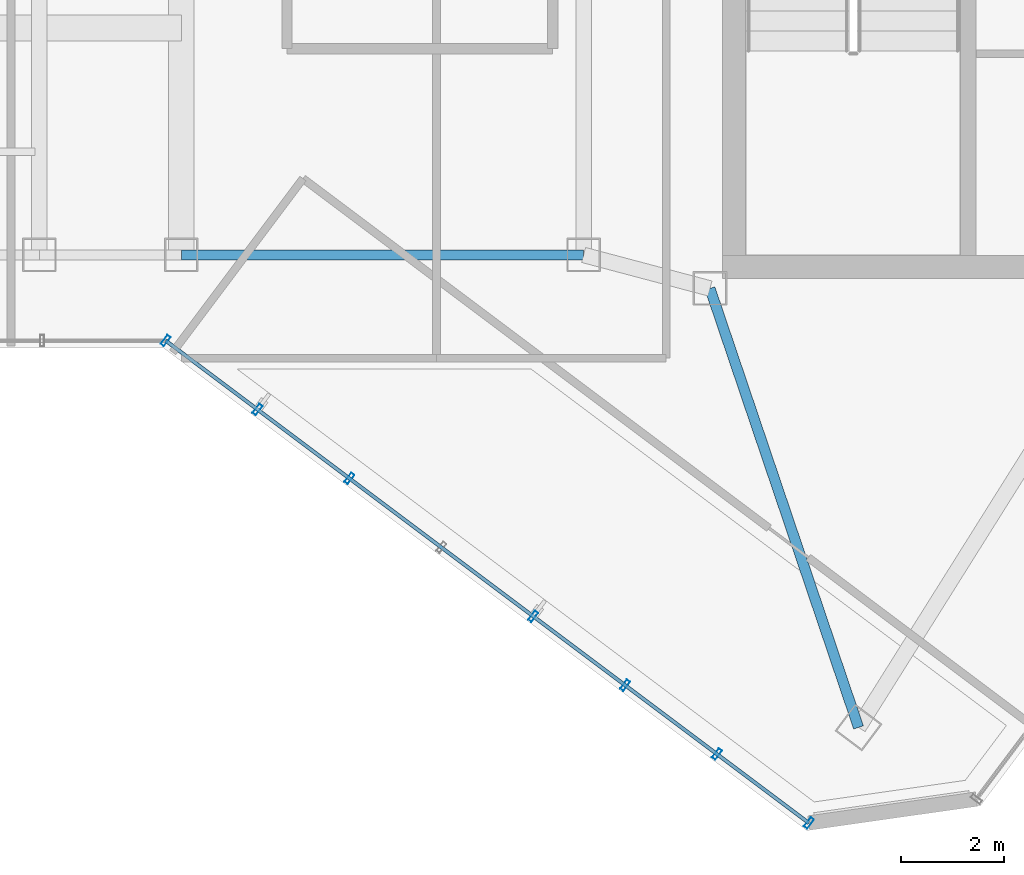
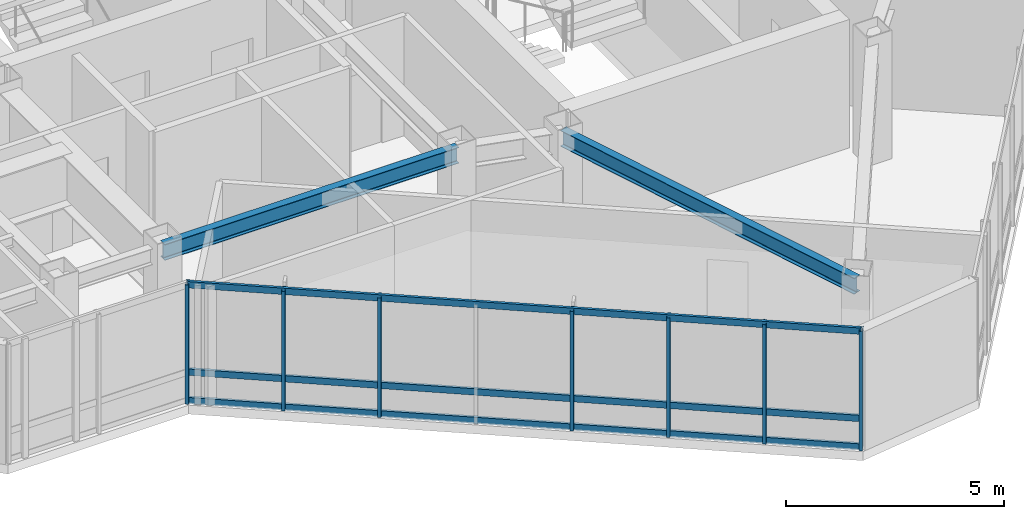
# One storey, part 3 of 17: 10 members, 2 beams, 1 element without a shape of its own.
"""IFC4 building model written with IfcOpenShell, lengths in metres."""

from ifc_helpers import new_model, si_unit, direction, frame, origin, origin_2d, place, context, subcontext, project, spatial, hollow_rectangle, i_section, extrude, material, layer, layer_set, material_profile, profile_set, type_object, element, aggregate, save


model = new_model("IFC4")

# Units and contexts
model_context = context("Model", 3, precision=1e-05, world=origin(), true_north=direction((0.0, 1.0)))
body_context = subcontext(model_context, "Body", "Model", "MODEL_VIEW")
ifc_project = project(units=[si_unit("LENGTHUNIT", "METRE"), si_unit("AREAUNIT", "SQUARE_METRE"), si_unit("VOLUMEUNIT", "CUBIC_METRE"), si_unit("PLANEANGLEUNIT", "RADIAN"), si_unit("MASSUNIT", "GRAM", prefix="KILO")], contexts=[model_context])

# Site, building, storey
site_placement = place(None, origin())
site = spatial("IfcSite", under=ifc_project, at=site_placement, CompositionType="ELEMENT")
building_placement = place(site_placement, origin())
building = spatial("IfcBuilding", under=site, at=building_placement, Name="Hatsunagi Terrace Concourse", CompositionType="ELEMENT")
storey_placement = place(building_placement, frame((0.0, 0.0, 253.949951171875)))
storey = spatial("IfcBuildingStorey", under=building, at=storey_placement, Name="L67", CompositionType="ELEMENT", Elevation=253.949951171875)

# Curtain wall, members
ifc_material_1 = material(Name="Anodised Aluminium Alloy 6063-T5", Category="aluminium")
ifc_layer = layer(ifc_material_1, 0.199951171875)
ifc_layer_set = layer_set([ifc_layer], Name="SkyLobbyAtrium_CW05")
curtain_wall_type = type_object("IfcCurtainWallType", Name="SkyLobbyAtrium_CW05", PredefinedType="NOTDEFINED", material=ifc_layer_set)
curtain_wall_placement = place(storey_placement, origin())
curtain_wall = element("IfcCurtainWall", 1, at=curtain_wall_placement, inside=storey, type_object=curtain_wall_type, Name="Unitised Curtain Wall CW-05 CW-L67-05", PredefinedType="NOTDEFINED")
ifc_material_2 = material(Name="Anodised Aluminium Alloy 6063-T5", Category="aluminium")
ifc_material_profile_1 = material_profile(ifc_material_2, hollow_rectangle(XDim=0.080078125, YDim=0.219970703125, WallThickness=0.0048828125, at=origin_2d()), Name="ALU-MUL-220x80x5")
ifc_profile_set_1 = profile_set([ifc_material_profile_1], Name="Anodised Aluminium Alloy 6063-T5")
member_type_1 = type_object("IfcMemberType", Name="CurtainWallMullion_Heavy_220x80", PredefinedType="MULLION", material=ifc_profile_set_1)
member_1_placement = place(storey_placement, frame((37.718017578125, 14.18701171875, 0.0), z_axis=(0.0, 0.0, 1.0), x_axis=(-0.800007305671, 0.599990258982, 0.0)))
member_1 = element("IfcMember", 2, at=member_1_placement, type_object=member_type_1, Name="Curtain Wall Mullion MUL-01", PredefinedType="MULLION", context=body_context, shape_type="SweptSolid", body=[
    extrude(hollow_rectangle(XDim=0.080078125, YDim=0.219970703125, WallThickness=0.0048828125, at=origin_2d()), origin(), (0.0, 0.0, 1.0), 3.35009765625),
])
member_2_placement = place(storey_placement, frame((35.93603515625, 15.52294921875, 0.0), z_axis=(0.0, 0.0, 1.0), x_axis=(-0.800007305671, 0.599990258982, 0.0)))
member_2 = element("IfcMember", 3, at=member_2_placement, type_object=member_type_1, Name="Curtain Wall Mullion MUL-01", PredefinedType="MULLION", context=body_context, shape_type="SweptSolid", body=[
    extrude(hollow_rectangle(XDim=0.080078125, YDim=0.219970703125, WallThickness=0.0048828125, at=origin_2d()), origin(), (0.0, 0.0, 1.0), 3.35009765625),
])
member_3_placement = place(storey_placement, frame((34.155029296875, 16.85888671875, 0.0), z_axis=(0.0, 0.0, 1.0), x_axis=(-0.800007305671, 0.599990258982, 0.0)))
member_3 = element("IfcMember", 4, at=member_3_placement, type_object=member_type_1, Name="Curtain Wall Mullion MUL-01", PredefinedType="MULLION", context=body_context, shape_type="SweptSolid", body=[
    extrude(hollow_rectangle(XDim=0.080078125, YDim=0.219970703125, WallThickness=0.0048828125, at=origin_2d()), origin(), (0.0, 0.0, 1.0), 3.35009765625),
])
member_4_placement = place(storey_placement, frame((32.373046875, 18.195068359375, 0.0), z_axis=(0.0, 0.0, 1.0), x_axis=(-0.800007305671, 0.599990258982, 0.0)))
member_4 = element("IfcMember", 5, at=member_4_placement, type_object=member_type_1, Name="Curtain Wall Mullion MUL-01", PredefinedType="MULLION", context=body_context, shape_type="SweptSolid", body=[
    extrude(hollow_rectangle(XDim=0.080078125, YDim=0.219970703125, WallThickness=0.0048828125, at=origin_2d()), origin(), (0.0, 0.0, 1.0), 3.35009765625),
])
member_5_placement = place(storey_placement, frame((28.81005859375, 20.867919921875, 0.0), z_axis=(0.0, 0.0, 1.0), x_axis=(-0.800007305671, 0.599990258982, 0.0)))
member_5 = element("IfcMember", 6, at=member_5_placement, type_object=member_type_1, Name="Curtain Wall Mullion MUL-01", PredefinedType="MULLION", context=body_context, shape_type="SweptSolid", body=[
    extrude(hollow_rectangle(XDim=0.080078125, YDim=0.219970703125, WallThickness=0.0048828125, at=origin_2d()), origin(), (0.0, 0.0, 1.0), 3.35009765625),
])
member_6_placement = place(storey_placement, frame((27.029052734375, 22.2041015625, 0.0), z_axis=(0.0, 0.0, 1.0), x_axis=(-0.800007305671, 0.599990258982, 0.0)))
member_6 = element("IfcMember", 7, at=member_6_placement, type_object=member_type_1, Name="Curtain Wall Mullion MUL-01", PredefinedType="MULLION", context=body_context, shape_type="SweptSolid", body=[
    extrude(hollow_rectangle(XDim=0.080078125, YDim=0.219970703125, WallThickness=0.0048828125, at=origin_2d()), origin(), (0.0, 0.0, 1.0), 3.35009765625),
])
member_7_placement = place(storey_placement, frame((25.2470703125, 23.5400390625, 0.0), z_axis=(0.0, 0.0, 1.0), x_axis=(-0.800007305671, 0.599990258982, 0.0)))
member_7 = element("IfcMember", 8, at=member_7_placement, type_object=member_type_1, Name="Curtain Wall Mullion MUL-01", PredefinedType="MULLION", context=body_context, shape_type="SweptSolid", body=[
    extrude(hollow_rectangle(XDim=0.080078125, YDim=0.219970703125, WallThickness=0.0048828125, at=origin_2d()), origin(), (0.0, 0.0, 1.0), 3.35009765625),
])
ifc_material_3 = material(Name="Anodised Aluminium Alloy 6063-T5", Category="aluminium")
ifc_material_profile_2 = material_profile(ifc_material_3, hollow_rectangle(XDim=0.070068359375, YDim=0.179931640625, WallThickness=0.00390625, at=origin_2d()), Name="ALU-TRN-180x70x4")
ifc_profile_set_2 = profile_set([ifc_material_profile_2], Name="Anodised Aluminium Alloy 6063-T5")
member_type_2 = type_object("IfcMemberType", Name="CurtainWallTransom_Heavy_180x70", PredefinedType="USERDEFINED", material=ifc_profile_set_2)
member_8_placement = place(storey_placement, frame((37.718017578125, 14.18701171875, 0.050048828125), z_axis=(-0.800005638109, 0.599992482448, 0.0), x_axis=(-0.599992482448, -0.800005638109, 0.0)))
member_8 = element("IfcMember", 9, at=member_8_placement, type_object=member_type_2, Name="Curtain Wall Transom TRN-01", ObjectType="TRANSOM", PredefinedType="USERDEFINED", context=body_context, shape_type="SweptSolid", body=[
    extrude(hollow_rectangle(XDim=0.070068359375, YDim=0.179931640625, WallThickness=0.00390625, at=origin_2d()), origin(), (0.0, 0.0, 1.0), 15.588623046875),
])
member_9_placement = place(storey_placement, frame((37.718017578125, 14.18701171875, 0.85009765625), z_axis=(-0.800005638109, 0.599992482448, 0.0), x_axis=(-0.599992482448, -0.800005638109, 0.0)))
member_9 = element("IfcMember", 10, at=member_9_placement, type_object=member_type_2, Name="Curtain Wall Transom TRN-01", ObjectType="TRANSOM", PredefinedType="USERDEFINED", context=body_context, shape_type="SweptSolid", body=[
    extrude(hollow_rectangle(XDim=0.070068359375, YDim=0.179931640625, WallThickness=0.00390625, at=origin_2d()), origin(), (0.0, 0.0, 1.0), 15.588623046875),
])
member_10_placement = place(storey_placement, frame((37.718017578125, 14.18701171875, 3.300048828125), z_axis=(-0.800005638109, 0.599992482448, 0.0), x_axis=(-0.599992482448, -0.800005638109, 0.0)))
member_10 = element("IfcMember", 11, at=member_10_placement, type_object=member_type_2, Name="Curtain Wall Transom TRN-01", ObjectType="TRANSOM", PredefinedType="USERDEFINED", context=body_context, shape_type="SweptSolid", body=[
    extrude(hollow_rectangle(XDim=0.070068359375, YDim=0.179931640625, WallThickness=0.00390625, at=origin_2d()), origin(), (0.0, 0.0, 1.0), 15.588623046875),
])
aggregate(curtain_wall, [member_1, member_2, member_3, member_4, member_5, member_6, member_7, member_8, member_9, member_10])

# Beams
ifc_material_4 = material(Name="Steel SN490B", Category="steel")
ifc_material_profile_3 = material_profile(ifc_material_4, i_section(OverallWidth=0.199951171875, OverallDepth=0.449951171875, WebThickness=0.009033203125, FlangeThickness=0.013916015625, FilletRadius=0.01611328125, at=origin_2d()), Name="H-450x200x9x14")
ifc_profile_set_3 = profile_set([ifc_material_profile_3], Name="Steel SN490B")
beam_type = type_object("IfcBeamType", Name="PerimeterSpandrel_H_450x200", PredefinedType="SPANDREL", material=ifc_profile_set_3)
beam_1_placement = place(storey_placement, frame((25.550048828125, 25.199951171875, 3.125), z_axis=(1.0, 0.0, 0.0), x_axis=(0.0, 1.0, 0.0)))
element("IfcBeam", 12, at=beam_1_placement, inside=storey, type_object=beam_type, Name="Beam SP-02 BM-L67-WS-25", PredefinedType="SPANDREL", context=body_context, shape_type="SweptSolid", body=[
    extrude(i_section(OverallWidth=0.199951171875, OverallDepth=0.449951171875, WebThickness=0.009033203125, FlangeThickness=0.013916015625, FilletRadius=0.01611328125, at=origin_2d()), origin(), (0.0, 0.0, 1.0), 7.800048828125),
])
beam_2_placement = place(storey_placement, frame((35.800048828125, 24.550048828125, 3.125), z_axis=(0.320553412271, -0.947230441805, 0.0), x_axis=(0.947230441805, 0.320553412271, 0.0)))
element("IfcBeam", 13, at=beam_2_placement, inside=storey, type_object=beam_type, Name="Beam SP-02 BM-L67-SE-SW0", PredefinedType="SPANDREL", context=body_context, shape_type="SweptSolid", body=[
    extrude(i_section(OverallWidth=0.199951171875, OverallDepth=0.449951171875, WebThickness=0.009033203125, FlangeThickness=0.013916015625, FilletRadius=0.01611328125, at=origin_2d()), origin(), (0.0, 0.0, 1.0), 8.984130859375),
])

save(model, "model.ifc")
